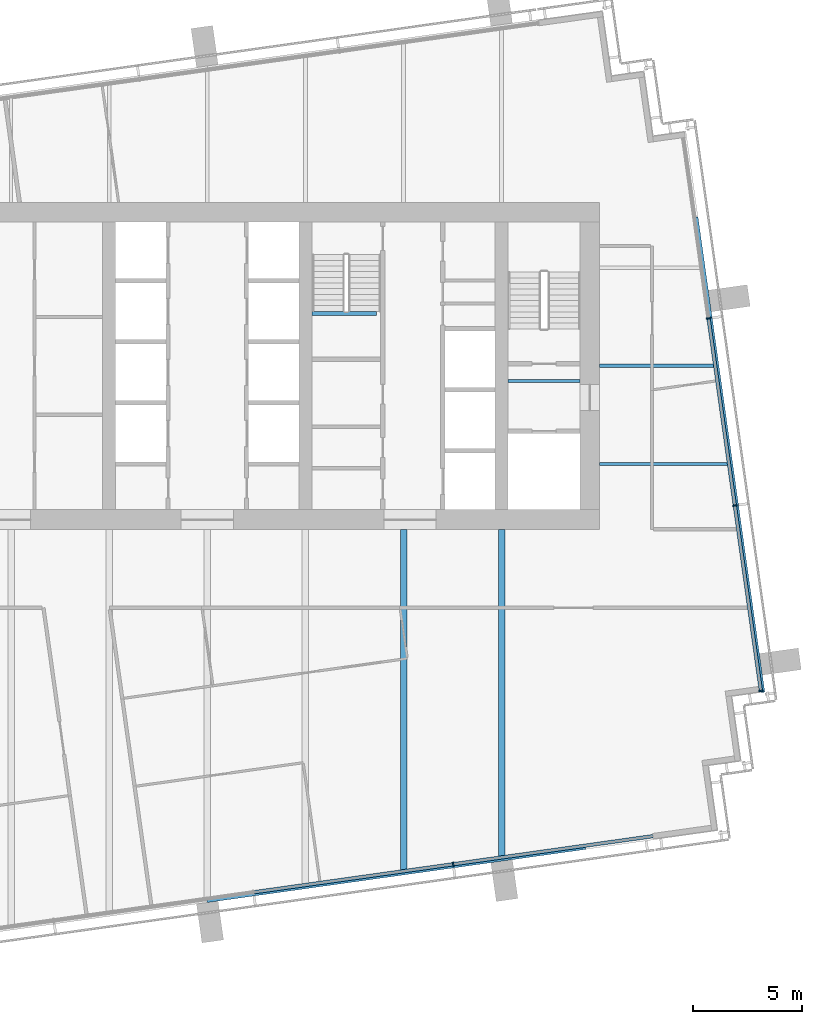
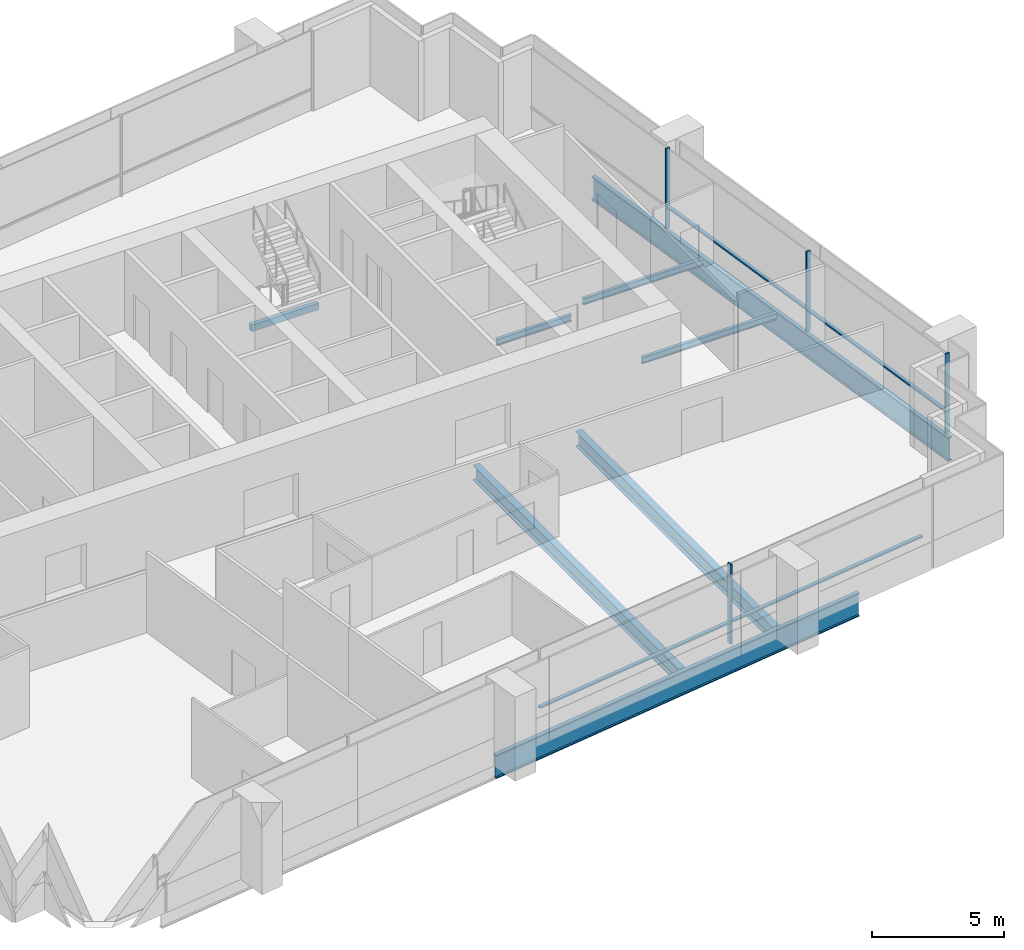
# One storey, part 4 of 15: 8 beams, 8 members, 2 elements without a shape of their own.
"""IFC4 building model written with IfcOpenShell, lengths in metres."""

from ifc_helpers import new_model, si_unit, direction, frame, origin, origin_2d, place, context, subcontext, project, spatial, rectangle, i_section, extrude, material, layer, layer_set, material_profile, profile_set, type_object, element, aggregate, save


model = new_model("IFC4")

# Units and contexts
model_context = context("Model", 3, precision=1e-05, world=origin(), true_north=direction((0.0, 1.0)))
body_context = subcontext(model_context, "Body", "Model", "MODEL_VIEW")
ifc_project = project(units=[si_unit("LENGTHUNIT", "METRE"), si_unit("AREAUNIT", "SQUARE_METRE"), si_unit("VOLUMEUNIT", "CUBIC_METRE"), si_unit("PLANEANGLEUNIT", "RADIAN"), si_unit("MASSUNIT", "GRAM", prefix="KILO")], contexts=[model_context])

# Site, building, storey
site_placement = place(None, origin())
site = spatial("IfcSite", under=ifc_project, at=site_placement, CompositionType="ELEMENT")
building_placement = place(site_placement, origin())
building = spatial("IfcBuilding", under=site, at=building_placement, Name="Rattan Terrace Tower", CompositionType="ELEMENT")
storey_placement = place(building_placement, frame((0.0, 0.0, 262.89990234375)))
storey = spatial("IfcBuildingStorey", under=building, at=storey_placement, Name="L60", CompositionType="ELEMENT", Elevation=262.89990234375)

# Beams
ifc_material_1 = material(Name="Concrete C40/50", Category="concrete")
ifc_material_profile_1 = material_profile(ifc_material_1, rectangle(XDim=0.199951171875, YDim=0.300048828125, at=origin_2d()), Name="RC 200x300")
ifc_profile_set_1 = profile_set([ifc_material_profile_1], Name="Concrete C40/50")
beam_type_1 = type_object("IfcBeamType", Name="Core landing beam RC 200x300", PredefinedType="BEAM", material=ifc_profile_set_1)
beam_1_placement = place(storey_placement, frame((4.800048828125, 2.39990234375, 1.60009765625), z_axis=(1.0, 0.0, 0.0), x_axis=(0.0, 1.0, 0.0)))
element("IfcBeam", 1, at=beam_1_placement, inside=storey, type_object=beam_type_1, Name="st-S3-L60 landing 1 edge beam", PredefinedType="BEAM", context=body_context, shape_type="SweptSolid", body=[
    extrude(rectangle(XDim=0.199951171875, YDim=0.300048828125, at=origin_2d()), origin(), (0.0, 0.0, 1.0), 2.949951171875),
])
ifc_material_2 = material(Name="Steel S460", Category="steel")
ifc_material_profile_2 = material_profile(ifc_material_2, i_section(OverallWidth=0.179931640625, OverallDepth=1.10009765625, WebThickness=0.01611328125, FlangeThickness=0.050048828125, at=origin_2d()), Name="PG 1100x180-16-50")
ifc_profile_set_2 = profile_set([ifc_material_profile_2], Name="Steel S460")
beam_type_2 = type_object("IfcBeamType", Name="Frame edge girder PG 1100x180-16-50", PredefinedType="SPANDREL", material=ifc_profile_set_2)
beam_2_placement = place(storey_placement, frame((17.347900390625, -22.087890625, -0.75), z_axis=(-0.990265878298, -0.139188685889, 0.0), x_axis=(0.139188685889, -0.990265878298, 0.0)))
element("IfcBeam", 2, at=beam_2_placement, inside=storey, type_object=beam_type_2, Name="gdr-L60-002", PredefinedType="SPANDREL", context=body_context, shape_type="SweptSolid", body=[
    extrude(i_section(OverallWidth=0.179931640625, OverallDepth=1.10009765625, WebThickness=0.01611328125, FlangeThickness=0.050048828125, at=origin_2d()), origin(), (0.0, 0.0, 1.0), 17.531494140625),
])
beam_3_placement = place(storey_placement, frame((22.4189453125, 6.822998046875, -0.75), z_axis=(0.139180574959, -0.990267018311, 0.0), x_axis=(0.990267018311, 0.139180574959, 0.0)))
element("IfcBeam", 3, at=beam_3_placement, inside=storey, type_object=beam_type_2, Name="gdr-L60-004", PredefinedType="SPANDREL", context=body_context, shape_type="SweptSolid", body=[
    extrude(i_section(OverallWidth=0.179931640625, OverallDepth=1.10009765625, WebThickness=0.01611328125, FlangeThickness=0.050048828125, at=origin_2d()), origin(), (0.0, 0.0, 1.0), 22.014404296875),
])
ifc_material_3 = material(Name="Steel S355", Category="steel")
ifc_material_profile_3 = material_profile(ifc_material_3, i_section(OverallWidth=0.300048828125, OverallDepth=0.699951171875, WebThickness=0.01708984375, FlangeThickness=0.031982421875, FilletRadius=0.027099609375, at=origin_2d()), Name="HE 700 B")
ifc_profile_set_3 = profile_set([ifc_material_profile_3], Name="Steel S355")
beam_type_3 = type_object("IfcBeamType", Name="Frame floor beam HE 700 B", PredefinedType="JOIST", material=ifc_profile_set_3)
beam_4_placement = place(storey_placement, frame((9.0, -23.14892578125, -0.5498046875), z_axis=(0.0, 1.0, 0.0), x_axis=(-1.0, 0.0, 0.0)))
element("IfcBeam", 4, at=beam_4_placement, inside=storey, type_object=beam_type_3, Name="bm-L60-008", PredefinedType="JOIST", context=body_context, shape_type="SweptSolid", body=[
    extrude(i_section(OverallWidth=0.300048828125, OverallDepth=0.699951171875, WebThickness=0.01708984375, FlangeThickness=0.031982421875, FilletRadius=0.027099609375, at=origin_2d()), origin(), (0.0, 0.0, 1.0), 15.64892578125),
])
beam_5_placement = place(storey_placement, frame((13.5, -22.51708984375, -0.5498046875), z_axis=(0.0, 1.0, 0.0), x_axis=(-1.0, 0.0, 0.0)))
element("IfcBeam", 5, at=beam_5_placement, inside=storey, type_object=beam_type_3, Name="bm-L60-009", PredefinedType="JOIST", context=body_context, shape_type="SweptSolid", body=[
    extrude(i_section(OverallWidth=0.300048828125, OverallDepth=0.699951171875, WebThickness=0.01708984375, FlangeThickness=0.031982421875, FilletRadius=0.027099609375, at=origin_2d()), origin(), (0.0, 0.0, 1.0), 15.01708984375),
])
ifc_material_4 = material(Name="Steel S355", Category="steel")
ifc_material_profile_4 = material_profile(ifc_material_4, i_section(OverallWidth=0.14990234375, OverallDepth=0.300048828125, WebThickness=0.007080078125, FlangeThickness=0.0107421875, FilletRadius=0.014892578125, at=origin_2d()), Name="IPE 300")
ifc_profile_set_4 = profile_set([ifc_material_profile_4], Name="Steel S355")
beam_type_4 = type_object("IfcBeamType", Name="Frame floor beam IPE 300", PredefinedType="JOIST", material=ifc_profile_set_4)
beam_6_placement = place(storey_placement, frame((13.800048828125, -0.695068359375, -0.349853515625), z_axis=(1.0, 0.0, 0.0), x_axis=(0.0, 1.0, 0.0)))
element("IfcBeam", 6, at=beam_6_placement, inside=storey, type_object=beam_type_4, Name="bm-L60-002", PredefinedType="JOIST", context=body_context, shape_type="SweptSolid", body=[
    extrude(i_section(OverallWidth=0.14990234375, OverallDepth=0.300048828125, WebThickness=0.007080078125, FlangeThickness=0.0107421875, FilletRadius=0.014892578125, at=origin_2d()), origin(), (0.0, 0.0, 1.0), 3.300048828125),
])
beam_7_placement = place(storey_placement, frame((18.0, -4.5, -0.349853515625), z_axis=(1.0, 0.0, 0.0), x_axis=(0.0, 1.0, 0.0)))
element("IfcBeam", 7, at=beam_7_placement, inside=storey, type_object=beam_type_4, Name="bm-L60-011", PredefinedType="JOIST", context=body_context, shape_type="SweptSolid", body=[
    extrude(i_section(OverallWidth=0.14990234375, OverallDepth=0.300048828125, WebThickness=0.007080078125, FlangeThickness=0.0107421875, FilletRadius=0.014892578125, at=origin_2d()), origin(), (0.0, 0.0, 1.0), 5.908935546875),
])
beam_8_placement = place(storey_placement, frame((18.0, 0.0, -0.349853515625), z_axis=(1.0, 0.0, 0.0), x_axis=(0.0, 1.0, 0.0)))
element("IfcBeam", 8, at=beam_8_placement, inside=storey, type_object=beam_type_4, Name="bm-L60-013", PredefinedType="JOIST", context=body_context, shape_type="SweptSolid", body=[
    extrude(i_section(OverallWidth=0.14990234375, OverallDepth=0.300048828125, WebThickness=0.007080078125, FlangeThickness=0.0107421875, FilletRadius=0.014892578125, at=origin_2d()), origin(), (0.0, 0.0, 1.0), 5.277099609375),
])

# Curtain wall, members
ifc_material_5 = material(Name="Aluminium and laminated glass", Category="aluminium")
ifc_layer = layer(ifc_material_5, 0.199951171875)
ifc_layer_set = layer_set([ifc_layer], Name="High-Zone Unitised Curtain Wall")
curtain_wall_type = type_object("IfcCurtainWallType", Name="High-Zone Unitised Curtain Wall", PredefinedType="NOTDEFINED", material=ifc_layer_set)
curtain_wall_1_placement = place(storey_placement, origin())
curtain_wall_1 = element("IfcCurtainWall", 9, at=curtain_wall_1_placement, inside=storey, type_object=curtain_wall_type, Name="High-zone curtain wall L60-1", PredefinedType="NOTDEFINED")
ifc_material_6 = material(Name="Aluminium", Category="aluminium")
ifc_material_profile_5 = material_profile(ifc_material_6, rectangle(XDim=0.070068359375, YDim=0.199951171875, at=origin_2d()), Name="Aluminium 70x200")
ifc_profile_set_5 = profile_set([ifc_material_profile_5], Name="Aluminium")
member_type_1 = type_object("IfcMemberType", Name="High-Zone CW Mullion 70x200", PredefinedType="MULLION", material=ifc_profile_set_5)
member_1_placement = place(storey_placement, frame((25.3916015625, -14.908447265625, 0.0), z_axis=(0.0, 0.0, 1.0), x_axis=(-0.139191775431, 0.990265444036, 0.0)))
member_1 = element("IfcMember", 10, at=member_1_placement, type_object=member_type_1, Name="Mullion cwl-L60-001.1", PredefinedType="MULLION", context=body_context, shape_type="SweptSolid", body=[
    extrude(rectangle(XDim=0.070068359375, YDim=0.199951171875, at=origin_2d()), origin(), (0.0, 0.0, 1.0), 3.7001953125),
])
member_2_placement = place(storey_placement, frame((24.1962890625, -6.405029296875, 0.0), z_axis=(0.0, 0.0, 1.0), x_axis=(-0.139191775431, 0.990265444036, 0.0)))
member_2 = element("IfcMember", 11, at=member_2_placement, type_object=member_type_1, Name="Mullion cwl-L60-001.2", PredefinedType="MULLION", context=body_context, shape_type="SweptSolid", body=[
    extrude(rectangle(XDim=0.070068359375, YDim=0.199951171875, at=origin_2d()), origin(), (0.0, 0.0, 1.0), 3.7001953125),
])
member_3_placement = place(storey_placement, frame((22.989990234375, 2.177490234375, 0.0), z_axis=(0.0, 0.0, 1.0), x_axis=(-0.139191775431, 0.990265444036, 0.0)))
member_3 = element("IfcMember", 12, at=member_3_placement, type_object=member_type_1, Name="Mullion cwl-L60-001.3", PredefinedType="MULLION", context=body_context, shape_type="SweptSolid", body=[
    extrude(rectangle(XDim=0.070068359375, YDim=0.199951171875, at=origin_2d()), origin(), (0.0, 0.0, 1.0), 3.7001953125),
])

# Curtain wall, member
curtain_wall_2_placement = place(storey_placement, origin())
curtain_wall_2 = element("IfcCurtainWall", 13, at=curtain_wall_2_placement, inside=storey, type_object=curtain_wall_type, Name="High-zone curtain wall L60-4", PredefinedType="NOTDEFINED")
member_4_placement = place(storey_placement, frame((11.27734375, -22.859619140625, 0.0), z_axis=(0.0, 0.0, 1.0), x_axis=(0.990265894013, 0.139188574079, 0.0)))
member_4 = element("IfcMember", 14, at=member_4_placement, type_object=member_type_1, Name="Mullion cwl-L60-004.4", PredefinedType="MULLION", context=body_context, shape_type="SweptSolid", body=[
    extrude(rectangle(XDim=0.070068359375, YDim=0.199951171875, at=origin_2d()), origin(), (0.0, 0.0, 1.0), 3.7001953125),
])

# Member
ifc_material_7 = material(Name="Aluminium", Category="aluminium")
ifc_material_profile_6 = material_profile(ifc_material_7, rectangle(XDim=0.159912109375, YDim=0.070068359375, at=origin_2d()), Name="Aluminium 160x70")
ifc_profile_set_6 = profile_set([ifc_material_profile_6], Name="Aluminium")
member_type_2 = type_object("IfcMemberType", Name="High-Zone CW Transom 160x70", PredefinedType="USERDEFINED", material=ifc_profile_set_6)
member_5_placement = place(storey_placement, frame((25.38671875, -14.873779296875, 1.0), z_axis=(-0.139197734293, 0.99026460644, 0.0), x_axis=(-0.99026460644, -0.139197734293, 0.0)))
member_5 = element("IfcMember", 15, at=member_5_placement, type_object=member_type_2, Name="Transom cwl-L60-001.1", ObjectType="TRANSOM", PredefinedType="USERDEFINED", context=body_context, shape_type="SweptSolid", body=[
    extrude(rectangle(XDim=0.159912109375, YDim=0.070068359375, at=origin_2d()), origin(), (0.0, 0.0, 1.0), 8.51708984375),
])

member_6_placement = place(storey_placement, frame((24.19140625, -6.370361328125, 1.0), z_axis=(-0.139182599995, 0.990266733693, 0.0), x_axis=(-0.990266733693, -0.139182599995, 0.0)))
member_6 = element("IfcMember", 16, at=member_6_placement, type_object=member_type_2, Name="Transom cwl-L60-001.2", ObjectType="TRANSOM", PredefinedType="USERDEFINED", context=body_context, shape_type="SweptSolid", body=[
    extrude(rectangle(XDim=0.159912109375, YDim=0.070068359375, at=origin_2d()), origin(), (0.0, 0.0, 1.0), 8.596923828125),
])

aggregate(curtain_wall_1, [member_1, member_2, member_3, member_5, member_6])

member_7_placement = place(storey_placement, frame((2.15283203125, -24.14208984375, 1.0), z_axis=(0.990266662415, 0.139183107123, 0.0), x_axis=(-0.139183107123, 0.990266662415, 0.0)))
member_7 = element("IfcMember", 17, at=member_7_placement, type_object=member_type_2, Name="Transom cwl-L60-004.3", ObjectType="TRANSOM", PredefinedType="USERDEFINED", context=body_context, shape_type="SweptSolid", body=[
    extrude(rectangle(XDim=0.159912109375, YDim=0.070068359375, at=origin_2d()), origin(), (0.0, 0.0, 1.0), 9.17919921875),
])

member_8_placement = place(storey_placement, frame((11.31201171875, -22.854736328125, 1.0), z_axis=(0.990263767768, 0.139203700545, 0.0), x_axis=(-0.139203700545, 0.990263767768, 0.0)))
member_8 = element("IfcMember", 18, at=member_8_placement, type_object=member_type_2, Name="Transom cwl-L60-004.4", ObjectType="TRANSOM", PredefinedType="USERDEFINED", context=body_context, shape_type="SweptSolid", body=[
    extrude(rectangle(XDim=0.159912109375, YDim=0.070068359375, at=origin_2d()), origin(), (0.0, 0.0, 1.0), 9.21826171875),
])

aggregate(curtain_wall_2, [member_4, member_7, member_8])

save(model, "model.ifc")
